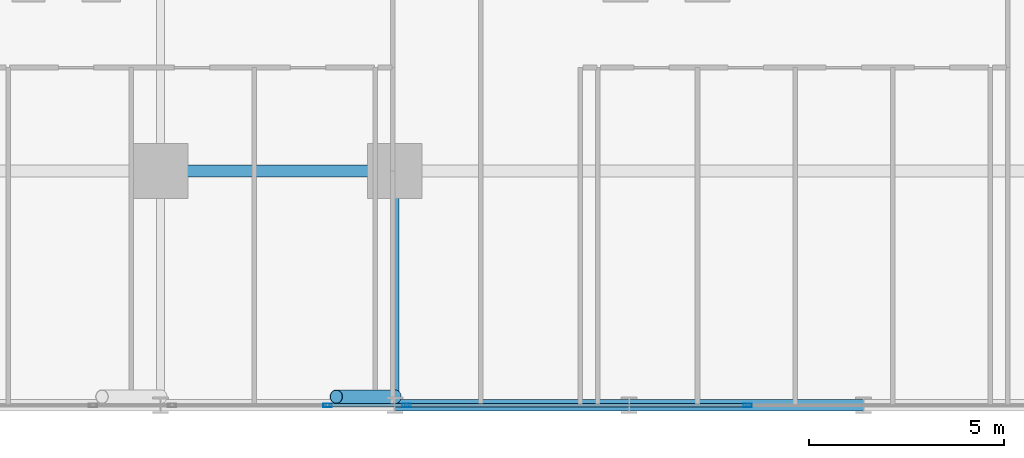
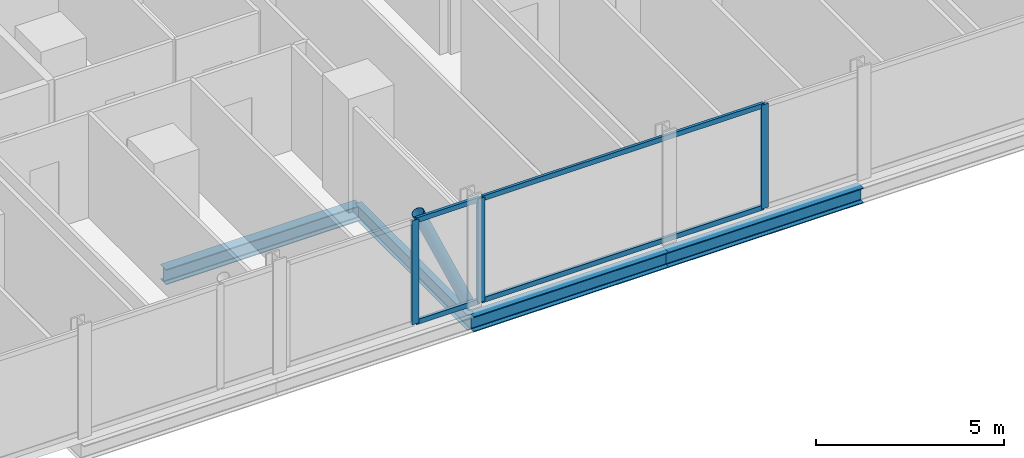
# One storey, part 7 of 33: 8 members, 4 beams, 2 elements without a shape of their own.
"""IFC4 building model written with IfcOpenShell, lengths in metres."""

from ifc_helpers import new_model, si_unit, direction, frame, origin, origin_2d, place, context, subcontext, project, spatial, hollow_rectangle, hollow_circle, i_section, extrude, material, layer, layer_set, material_profile, profile_set, type_object, element, aggregate, save


model = new_model("IFC4")

# Units and contexts
model_context = context("Model", 3, precision=1e-05, world=origin(), true_north=direction((0.0, 1.0)))
body_context = subcontext(model_context, "Body", "Model", "MODEL_VIEW")
ifc_project = project(units=[si_unit("LENGTHUNIT", "METRE"), si_unit("AREAUNIT", "SQUARE_METRE"), si_unit("VOLUMEUNIT", "CUBIC_METRE"), si_unit("PLANEANGLEUNIT", "RADIAN"), si_unit("MASSUNIT", "GRAM", prefix="KILO")], contexts=[model_context])

# Site, building, storey
site_placement = place(None, origin())
site = spatial("IfcSite", under=ifc_project, at=site_placement, CompositionType="ELEMENT")
building_placement = place(site_placement, origin())
building = spatial("IfcBuilding", under=site, at=building_placement, Name="Keshet Zoharim Tower", CompositionType="ELEMENT")
storey_placement = place(building_placement, frame((0.0, 0.0, 27.699951171875)))
storey = spatial("IfcBuildingStorey", under=building, at=storey_placement, Name="L05", CompositionType="ELEMENT", Elevation=27.699951171875)

# Beams
ifc_material_1 = material(Name="Steel S355", Category="steel")
ifc_material_profile_1 = material_profile(ifc_material_1, i_section(OverallWidth=0.199951171875, OverallDepth=0.5, WebThickness=0.01025390625, FlangeThickness=0.01611328125, FilletRadius=0.02099609375, at=origin_2d()), Name="IPE500")
ifc_profile_set_1 = profile_set([ifc_material_profile_1], Name="Steel S355")
beam_type_1 = type_object("IfcBeamType", Name="BM-PRI-IP500", PredefinedType="BEAM", material=ifc_profile_set_1)
beam_placement = place(storey_placement, frame((39.0, 0.699951171875, -0.56494140625), z_axis=(0.0, 1.0, 0.0), x_axis=(-1.0, 0.0, 0.0)))
element("IfcBeam", 1, at=beam_placement, inside=storey, type_object=beam_type_1, Name="L05 Primary Girder Y-012", PredefinedType="BEAM", context=body_context, shape_type="SweptSolid", body=[
    extrude(i_section(OverallWidth=0.199951171875, OverallDepth=0.5, WebThickness=0.01025390625, FlangeThickness=0.01611328125, FilletRadius=0.02099609375, at=origin_2d()), origin(), (0.0, 0.0, 1.0), 6.0),
])
ifc_material_profile_2 = material_profile(ifc_material_1, i_section(OverallWidth=0.300048828125, OverallDepth=0.5, WebThickness=0.014404296875, FlangeThickness=0.028076171875, FilletRadius=0.027099609375, at=origin_2d()), Name="HEB500")
ifc_profile_set_2 = profile_set([ifc_material_profile_2], Name="Steel S355")
beam_type_2 = type_object("IfcBeamType", Name="BM-WEB-HB500", PredefinedType="BEAM", material=ifc_profile_set_2)
for number, where, z_axis, x_axis, name in (
    (2, (39.0, 0.699951171875, -0.56494140625), (1.0, 0.0, 0.0), (0.0, 1.0, 0.0), "L05 Primary Girder X-003"),
    (3, (45.0, 0.699951171875, -0.56494140625), (1.0, 0.0, 0.0), (0.0, 1.0, 0.0), "L05 Primary Girder X-004"),
    (4, (33.0, 6.699951171875, -0.56494140625), (1.0, 0.0, 0.0), (0.0, 1.0, 0.0), "L05 Primary Girder X-008"),
):
    element("IfcBeam", number, at=place(storey_placement, frame(where, z_axis=z_axis, x_axis=x_axis)), inside=storey, type_object=beam_type_2, Name=name, PredefinedType="BEAM", context=body_context, shape_type="SweptSolid", body=[
        extrude(i_section(OverallWidth=0.300048828125, OverallDepth=0.5, WebThickness=0.014404296875, FlangeThickness=0.028076171875, FilletRadius=0.027099609375, at=origin_2d()), origin(), (0.0, 0.0, 1.0), 6.0),
    ])

# Curtain wall, members
ifc_material_2 = material(Name="Aluminium 6063-T6", Category="aluminium")
ifc_layer = layer(ifc_material_2, 0.179931640625)
ifc_layer_set = layer_set([ifc_layer], Name="Aluminium 6063-T6")
curtain_wall_type = type_object("IfcCurtainWallType", Name="CW-SYS-01", PredefinedType="NOTDEFINED", material=ifc_layer_set)
curtain_wall_1_placement = place(storey_placement, origin())
curtain_wall_1 = element("IfcCurtainWall", 5, at=curtain_wall_1_placement, inside=storey, type_object=curtain_wall_type, Name="L05 Unitised Curtain Wall 26", PredefinedType="NOTDEFINED")
ifc_material_profile_3 = material_profile(ifc_material_2, hollow_rectangle(XDim=0.090087890625, YDim=0.219970703125, WallThickness=0.0048828125, at=origin_2d()), Name="MUL-90x220")
ifc_profile_set_3 = profile_set([ifc_material_profile_3], Name="Aluminium 6063-T6")
member_type_1 = type_object("IfcMemberType", Name="CWM-M22", PredefinedType="MULLION", material=ifc_profile_set_3)
member_1_placement = place(storey_placement, frame((48.03271484375, 0.699951171875, 0.0), z_axis=(0.0, 0.0, 1.0), x_axis=(0.0, -1.0, 0.0)))
member_1 = element("IfcMember", 6, at=member_1_placement, type_object=member_type_1, Name="CW-01 mullion 2", PredefinedType="MULLION", context=body_context, shape_type="SweptSolid", body=[
    extrude(hollow_rectangle(XDim=0.090087890625, YDim=0.219970703125, WallThickness=0.0048828125, at=origin_2d()), origin(), (0.0, 0.0, 1.0), 3.385009765625),
])
member_2_placement = place(storey_placement, frame((39.297607421875, 0.699951171875, 0.0), z_axis=(0.0, 0.0, 1.0), x_axis=(0.0, -1.0, 0.0)))
member_2 = element("IfcMember", 7, at=member_2_placement, type_object=member_type_1, Name="CW-01 mullion 3", PredefinedType="MULLION", context=body_context, shape_type="SweptSolid", body=[
    extrude(hollow_rectangle(XDim=0.090087890625, YDim=0.219970703125, WallThickness=0.0048828125, at=origin_2d()), origin(), (0.0, 0.0, 1.0), 3.385009765625),
])

# Curtain wall, member
curtain_wall_2_placement = place(storey_placement, origin())
curtain_wall_2 = element("IfcCurtainWall", 8, at=curtain_wall_2_placement, inside=storey, type_object=curtain_wall_type, Name="L05 Unitised Curtain Wall 26 Part 2", PredefinedType="NOTDEFINED")
member_3_placement = place(storey_placement, frame((37.2724609375, 0.699951171875, 0.0), z_axis=(0.0, 0.0, 1.0), x_axis=(0.0, -1.0, 0.0)))
member_3 = element("IfcMember", 9, at=member_3_placement, type_object=member_type_1, Name="CW-01 mullion 2", PredefinedType="MULLION", context=body_context, shape_type="SweptSolid", body=[
    extrude(hollow_rectangle(XDim=0.090087890625, YDim=0.219970703125, WallThickness=0.0048828125, at=origin_2d()), origin(), (0.0, 0.0, 1.0), 3.385009765625),
])

# Member
ifc_material_profile_4 = material_profile(ifc_material_2, hollow_rectangle(XDim=0.0849609375, YDim=0.159912109375, WallThickness=0.00439453125, at=origin_2d()), Name="TRN-85x160")
ifc_profile_set_4 = profile_set([ifc_material_profile_4], Name="Aluminium 6063-T6")
member_type_2 = type_object("IfcMemberType", Name="CWT-T16", PredefinedType="USERDEFINED", material=ifc_profile_set_4)
member_4_placement = place(storey_placement, frame((47.997802734375, 0.699951171875, 0.03515625), z_axis=(-1.0, 0.0, 0.0), x_axis=(0.0, -1.0, 0.0)))
member_4 = element("IfcMember", 10, at=member_4_placement, type_object=member_type_2, Name="CW-01 transom 2.1", ObjectType="TRANSOM", PredefinedType="USERDEFINED", context=body_context, shape_type="SweptSolid", body=[
    extrude(hollow_rectangle(XDim=0.0849609375, YDim=0.159912109375, WallThickness=0.00439453125, at=origin_2d()), origin(), (0.0, 0.0, 1.0), 8.665283203125),
])

member_5_placement = place(storey_placement, frame((47.997802734375, 0.699951171875, 3.35009765625), z_axis=(-1.0, 0.0, 0.0), x_axis=(0.0, -1.0, 0.0)))
member_5 = element("IfcMember", 11, at=member_5_placement, type_object=member_type_2, Name="CW-01 transom 2.2", ObjectType="TRANSOM", PredefinedType="USERDEFINED", context=body_context, shape_type="SweptSolid", body=[
    extrude(hollow_rectangle(XDim=0.0849609375, YDim=0.159912109375, WallThickness=0.00439453125, at=origin_2d()), origin(), (0.0, 0.0, 1.0), 8.665283203125),
])

aggregate(curtain_wall_1, [member_1, member_2, member_4, member_5])

member_6_placement = place(storey_placement, frame((39.2626953125, 0.699951171875, 0.03515625), z_axis=(-1.0, 0.0, 0.0), x_axis=(0.0, -1.0, 0.0)))
member_6 = element("IfcMember", 12, at=member_6_placement, type_object=member_type_2, Name="CW-01 transom 1.1", ObjectType="TRANSOM", PredefinedType="USERDEFINED", context=body_context, shape_type="SweptSolid", body=[
    extrude(hollow_rectangle(XDim=0.0849609375, YDim=0.159912109375, WallThickness=0.00439453125, at=origin_2d()), origin(), (0.0, 0.0, 1.0), 1.955322265625),
])

member_7_placement = place(storey_placement, frame((39.2626953125, 0.699951171875, 3.35009765625), z_axis=(-1.0, 0.0, 0.0), x_axis=(0.0, -1.0, 0.0)))
member_7 = element("IfcMember", 13, at=member_7_placement, type_object=member_type_2, Name="CW-01 transom 1.2", ObjectType="TRANSOM", PredefinedType="USERDEFINED", context=body_context, shape_type="SweptSolid", body=[
    extrude(hollow_rectangle(XDim=0.0849609375, YDim=0.159912109375, WallThickness=0.00439453125, at=origin_2d()), origin(), (0.0, 0.0, 1.0), 1.955322265625),
])

aggregate(curtain_wall_2, [member_3, member_6, member_7])

ifc_material_profile_5 = material_profile(ifc_material_1, hollow_circle(Radius=0.177734375, WallThickness=0.012451171875, at=origin_2d()), Name="CHS355x12.5")
ifc_profile_set_5 = profile_set([ifc_material_profile_5], Name="Steel S355")
member_type_3 = type_object("IfcMemberType", Name="MB-BR-C355", PredefinedType="BRACE", material=ifc_profile_set_5)
member_8_placement = place(storey_placement, frame((39.0, 0.919921875, 0.0), z_axis=(-0.405134846829, 0.0, 0.91425694194), x_axis=(0.0, -1.0, 0.0)))
element("IfcMember", 14, at=member_8_placement, inside=storey, type_object=member_type_3, Name="L05 Perimeter Tube Brace 03", PredefinedType="BRACE", context=body_context, shape_type="SweptSolid", body=[
    extrude(hollow_circle(Radius=0.177734375, WallThickness=0.012451171875, at=origin_2d()), origin(), (0.0, 0.0, 1.0), 3.702392578125),
])

save(model, "model.ifc")
